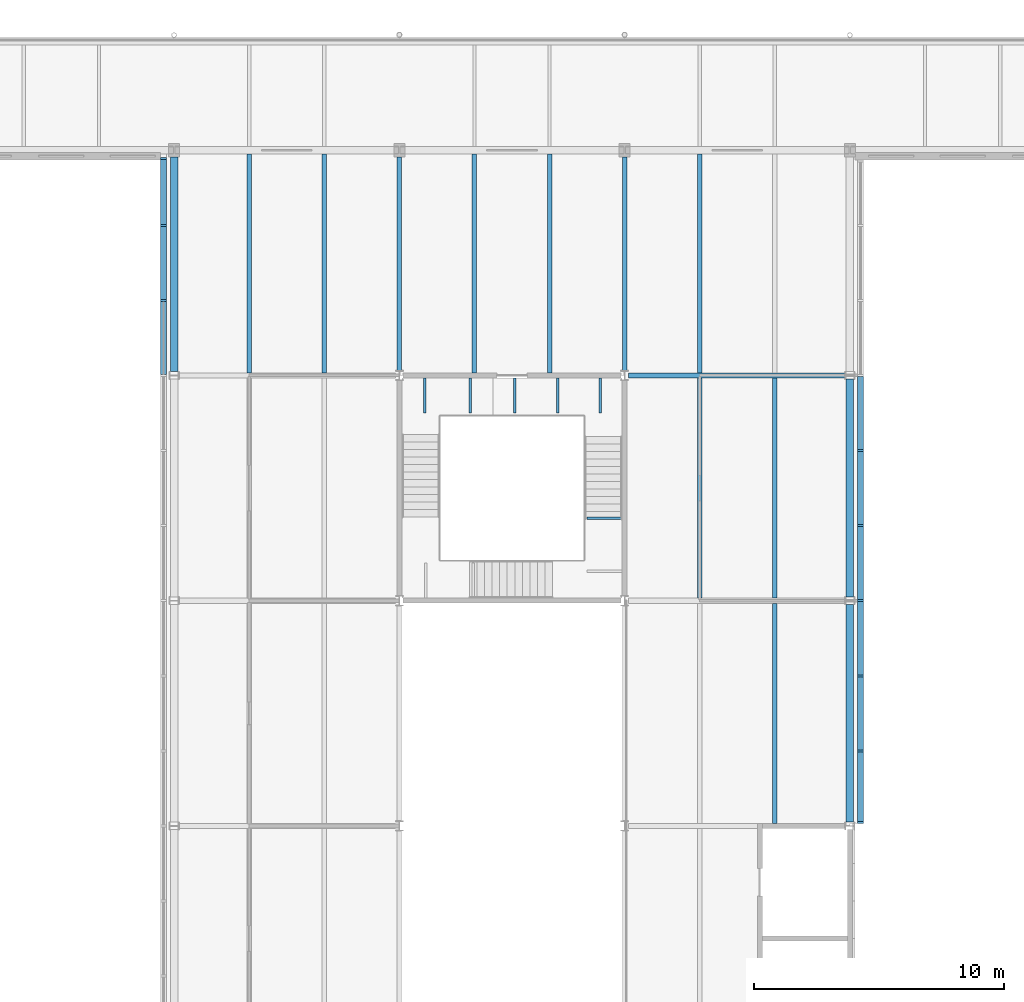
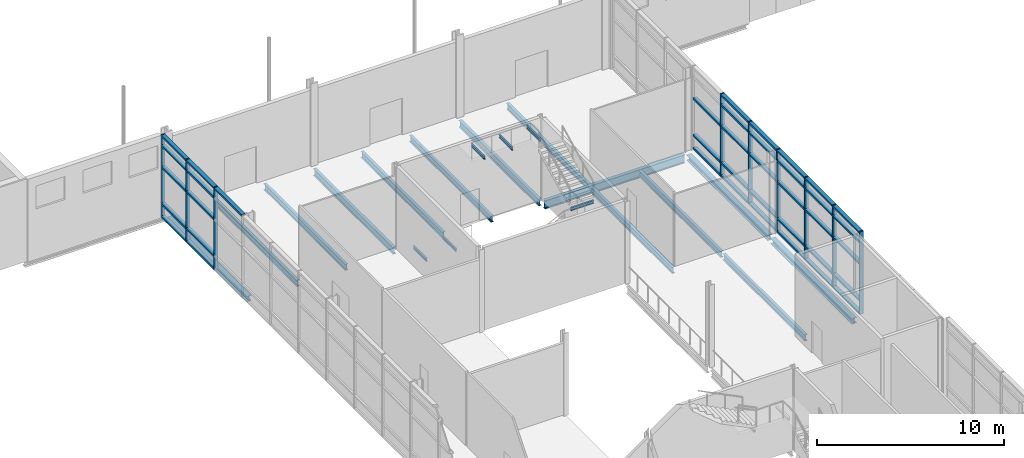
# One storey, part 18 of 56: 48 members, 20 beams, 2 elements without a shape of their own.
"""IFC4 building model written with IfcOpenShell, lengths in metres."""

from ifc_helpers import new_model, si_unit, direction, frame, origin, origin_2d, place, context, subcontext, project, spatial, rectangle, i_section, extrude, material, material_profile, profile_set, type_object, element, aggregate, save


model = new_model("IFC4")

# Units and contexts
model_context = context("Model", 3, precision=1e-05, world=origin(), true_north=direction((0.0, 1.0)))
body_context = subcontext(model_context, "Body", "Model", "MODEL_VIEW")
ifc_project = project(units=[si_unit("LENGTHUNIT", "METRE"), si_unit("AREAUNIT", "SQUARE_METRE"), si_unit("VOLUMEUNIT", "CUBIC_METRE"), si_unit("PLANEANGLEUNIT", "RADIAN"), si_unit("MASSUNIT", "GRAM", prefix="KILO")], contexts=[model_context])

# Site, building, storey
site_placement = place(None, origin())
site = spatial("IfcSite", under=ifc_project, at=site_placement, CompositionType="ELEMENT")
building_placement = place(site_placement, origin())
building = spatial("IfcBuilding", under=site, at=building_placement, Name="Azimuth Sports and Learning Centre", CompositionType="ELEMENT")
storey_placement = place(building_placement, frame((0.0, 0.0, 5.39990234375)))
storey = spatial("IfcBuildingStorey", under=building, at=storey_placement, Name="L01", CompositionType="ELEMENT", Elevation=5.39990234375)

# Beams
ifc_material_1 = material(Name="Steel S355", Category="steel")
ifc_material_profile_1 = material_profile(ifc_material_1, i_section(OverallWidth=0.10009765625, OverallDepth=0.199951171875, WebThickness=0.005615234375, FlangeThickness=0.008544921875, FilletRadius=0.011962890625, at=origin_2d()), Name="IPE 200")
ifc_profile_set_1 = profile_set([ifc_material_profile_1], Name="Steel S355")
beam_type_1 = type_object("IfcBeamType", Name="Beam IPE 200", PredefinedType="BEAM", material=ifc_profile_set_1)
for number, where, z_axis, x_axis, name in (
    (1, (82.02001953125, 80.89990234375, -0.2998046875), (0.0, -1.0, 0.0), (1.0, 0.0, 0.0), "Landing bracket STD L01 1168"),
    (2, (83.840087890625, 80.89990234375, -0.2998046875), (0.0, -1.0, 0.0), (1.0, 0.0, 0.0), "Landing bracket STD L01 1169"),
    (3, (89.89990234375, 75.297607421875, 3.300048828125), (-1.0, 0.0, 0.0), (0.0, -1.0, 0.0), "Landing bracket STD L01 1173"),
    (4, (85.606689453125, 80.89990234375, 5.10009765625), (0.0, -1.0, 0.0), (1.0, 0.0, 0.0), "Landing bracket STD L01 1174"),
    (5, (87.320068359375, 80.89990234375, 5.10009765625), (0.0, -1.0, 0.0), (1.0, 0.0, 0.0), "Landing bracket STD L01 1175"),
    (6, (89.033447265625, 80.89990234375, 5.10009765625), (0.0, -1.0, 0.0), (1.0, 0.0, 0.0), "Landing bracket STD L01 1176"),
):
    element("IfcBeam", number, at=place(storey_placement, frame(where, z_axis=z_axis, x_axis=x_axis)), inside=storey, type_object=beam_type_1, Name=name, PredefinedType="BEAM", context=body_context, shape_type="SweptSolid", body=[
        extrude(i_section(OverallWidth=0.10009765625, OverallDepth=0.199951171875, WebThickness=0.005615234375, FlangeThickness=0.008544921875, FilletRadius=0.011962890625, at=origin_2d()), origin(), (0.0, 0.0, 1.0), 1.409912109375),
    ])
ifc_material_2 = material(Name="Steel S355", Category="steel")
ifc_material_profile_2 = material_profile(ifc_material_2, i_section(OverallWidth=0.18994140625, OverallDepth=0.449951171875, WebThickness=0.009521484375, FlangeThickness=0.0146484375, FilletRadius=0.02099609375, at=origin_2d()), Name="IPE 450")
ifc_profile_set_2 = profile_set([ifc_material_profile_2], Name="Steel S355")
beam_type_2 = type_object("IfcBeamType", Name="Beam IPE 450", PredefinedType="BEAM", material=ifc_profile_set_2)
for number, where, z_axis, x_axis, name in (
    (7, (81.0, 81.199951171875, -0.375), (0.0, 1.0, 0.0), (-1.0, 0.0, 0.0), "Beam L01 ST 29"),
    (8, (90.0, 81.199951171875, -0.375), (0.0, 1.0, 0.0), (-1.0, 0.0, 0.0), "Beam L01 ST 35"),
):
    element("IfcBeam", number, at=place(storey_placement, frame(where, z_axis=z_axis, x_axis=x_axis)), inside=storey, type_object=beam_type_2, Name=name, PredefinedType="BEAM", context=body_context, shape_type="SweptSolid", body=[
        extrude(i_section(OverallWidth=0.18994140625, OverallDepth=0.449951171875, WebThickness=0.009521484375, FlangeThickness=0.0146484375, FilletRadius=0.02099609375, at=origin_2d()), origin(), (0.0, 0.0, 1.0), 8.53466796875),
    ])
ifc_material_3 = material(Name="Steel S355", Category="steel")
ifc_material_profile_3 = material_profile(ifc_material_3, i_section(OverallWidth=0.2099609375, OverallDepth=0.550048828125, WebThickness=0.010986328125, FlangeThickness=0.01708984375, FilletRadius=0.02392578125, at=origin_2d()), Name="IPE 550")
ifc_profile_set_3 = profile_set([ifc_material_profile_3], Name="Steel S355")
beam_type_3 = type_object("IfcBeamType", Name="Beam IPE 550", PredefinedType="BEAM", material=ifc_profile_set_3)
beam_1_placement = place(storey_placement, frame((90.14990234375, 81.0, -0.4248046875), z_axis=(1.0, 0.0, 0.0), x_axis=(0.0, 1.0, 0.0)))
element("IfcBeam", 9, at=beam_1_placement, inside=storey, type_object=beam_type_3, Name="Beam L01 ST 16", PredefinedType="BEAM", context=body_context, shape_type="SweptSolid", body=[
    extrude(i_section(OverallWidth=0.2099609375, OverallDepth=0.550048828125, WebThickness=0.010986328125, FlangeThickness=0.01708984375, FilletRadius=0.02392578125, at=origin_2d()), origin(), (0.0, 0.0, 1.0), 8.650146484375),
])
ifc_material_4 = material(Name="Steel S355", Category="steel")
ifc_material_profile_4 = material_profile(ifc_material_4, i_section(OverallWidth=0.300048828125, OverallDepth=0.35009765625, WebThickness=0.010009765625, FlangeThickness=0.017578125, FilletRadius=0.027099609375, at=origin_2d()), Name="HEA 360")
ifc_profile_set_4 = profile_set([ifc_material_profile_4], Name="Steel S355")
beam_type_4 = type_object("IfcBeamType", Name="Edge beam HEA 360", PredefinedType="SPANDREL", material=ifc_profile_set_4)
beam_2_placement = place(storey_placement, frame((72.0, 81.14990234375, -0.324951171875), z_axis=(0.0, 1.0, 0.0), x_axis=(-1.0, 0.0, 0.0)))
element("IfcBeam", 10, at=beam_2_placement, inside=storey, type_object=beam_type_4, Name="Edge beam L01 ST 23", PredefinedType="SPANDREL", context=body_context, shape_type="SweptSolid", body=[
    extrude(i_section(OverallWidth=0.300048828125, OverallDepth=0.35009765625, WebThickness=0.010009765625, FlangeThickness=0.017578125, FilletRadius=0.027099609375, at=origin_2d()), origin(), (0.0, 0.0, 1.0), 8.584716796875),
])
for number, where, z_axis, x_axis, name in (
    (11, (99.0, 63.14990234375, -0.324951171875), (0.0, 1.0, 0.0), (-1.0, 0.0, 0.0), "Edge beam L01 ST 36"),
    (12, (99.0, 72.14990234375, -0.324951171875), (0.0, 1.0, 0.0), (-1.0, 0.0, 0.0), "Edge beam L01 ST 37"),
):
    element("IfcBeam", number, at=place(storey_placement, frame(where, z_axis=z_axis, x_axis=x_axis)), inside=storey, type_object=beam_type_4, Name=name, PredefinedType="SPANDREL", context=body_context, shape_type="SweptSolid", body=[
        extrude(i_section(OverallWidth=0.300048828125, OverallDepth=0.35009765625, WebThickness=0.010009765625, FlangeThickness=0.017578125, FilletRadius=0.027099609375, at=origin_2d()), origin(), (0.0, 0.0, 1.0), 8.7001953125),
    ])
ifc_material_5 = material(Name="Steel S355", Category="steel")
ifc_material_profile_5 = material_profile(ifc_material_5, i_section(OverallWidth=0.179931640625, OverallDepth=0.39990234375, WebThickness=0.008544921875, FlangeThickness=0.013427734375, FilletRadius=0.02099609375, at=origin_2d()), Name="IPE 400")
ifc_profile_set_5 = profile_set([ifc_material_profile_5], Name="Steel S355")
beam_type_5 = type_object("IfcBeamType", Name="Joist IPE 400", PredefinedType="JOIST", material=ifc_profile_set_5)
for number, where, z_axis, x_axis, name in (
    (13, (75.0, 81.10498046875, -0.349853515625), (0.0, 1.0, 0.0), (-1.0, 0.0, 0.0), "Joist L01 ST 46"),
    (14, (78.0, 81.10498046875, -0.349853515625), (0.0, 1.0, 0.0), (-1.0, 0.0, 0.0), "Joist L01 ST 54"),
):
    element("IfcBeam", number, at=place(storey_placement, frame(where, z_axis=z_axis, x_axis=x_axis)), inside=storey, type_object=beam_type_5, Name=name, PredefinedType="JOIST", context=body_context, shape_type="SweptSolid", body=[
        extrude(i_section(OverallWidth=0.179931640625, OverallDepth=0.39990234375, WebThickness=0.008544921875, FlangeThickness=0.013427734375, FilletRadius=0.02099609375, at=origin_2d()), origin(), (0.0, 0.0, 1.0), 8.7451171875),
    ])
for number, where, z_axis, x_axis, name in (
    (15, (84.0, 81.10009765625, -0.349853515625), (0.0, 1.0, 0.0), (-1.0, 0.0, 0.0), "Joist L01 ST 60"),
    (16, (87.0, 81.10009765625, -0.349853515625), (0.0, 1.0, 0.0), (-1.0, 0.0, 0.0), "Joist L01 ST 66"),
):
    element("IfcBeam", number, at=place(storey_placement, frame(where, z_axis=z_axis, x_axis=x_axis)), inside=storey, type_object=beam_type_5, Name=name, PredefinedType="JOIST", context=body_context, shape_type="SweptSolid", body=[
        extrude(i_section(OverallWidth=0.179931640625, OverallDepth=0.39990234375, WebThickness=0.008544921875, FlangeThickness=0.013427734375, FilletRadius=0.02099609375, at=origin_2d()), origin(), (0.0, 0.0, 1.0), 8.75),
    ])
beam_3_placement = place(storey_placement, frame((93.0, 72.10498046875, -0.349853515625), z_axis=(0.0, 1.0, 0.0), x_axis=(-1.0, 0.0, 0.0)))
element("IfcBeam", 17, at=beam_3_placement, inside=storey, type_object=beam_type_5, Name="Joist L01 ST 73", PredefinedType="JOIST", context=body_context, shape_type="SweptSolid", body=[
    extrude(i_section(OverallWidth=0.179931640625, OverallDepth=0.39990234375, WebThickness=0.008544921875, FlangeThickness=0.013427734375, FilletRadius=0.02099609375, at=origin_2d()), origin(), (0.0, 0.0, 1.0), 8.7900390625),
])
beam_4_placement = place(storey_placement, frame((93.0, 81.10498046875, -0.349853515625), z_axis=(0.0, 1.0, 0.0), x_axis=(-1.0, 0.0, 0.0)))
element("IfcBeam", 18, at=beam_4_placement, inside=storey, type_object=beam_type_5, Name="Joist L01 ST 74", PredefinedType="JOIST", context=body_context, shape_type="SweptSolid", body=[
    extrude(i_section(OverallWidth=0.179931640625, OverallDepth=0.39990234375, WebThickness=0.008544921875, FlangeThickness=0.013427734375, FilletRadius=0.02099609375, at=origin_2d()), origin(), (0.0, 0.0, 1.0), 8.7451171875),
])
beam_5_placement = place(storey_placement, frame((96.0, 63.10009765625, -0.349853515625), z_axis=(0.0, 1.0, 0.0), x_axis=(-1.0, 0.0, 0.0)))
element("IfcBeam", 19, at=beam_5_placement, inside=storey, type_object=beam_type_5, Name="Joist L01 ST 79", PredefinedType="JOIST", context=body_context, shape_type="SweptSolid", body=[
    extrude(i_section(OverallWidth=0.179931640625, OverallDepth=0.39990234375, WebThickness=0.008544921875, FlangeThickness=0.013427734375, FilletRadius=0.02099609375, at=origin_2d()), origin(), (0.0, 0.0, 1.0), 8.794921875),
])
beam_6_placement = place(storey_placement, frame((96.0, 72.10498046875, -0.349853515625), z_axis=(0.0, 1.0, 0.0), x_axis=(-1.0, 0.0, 0.0)))
element("IfcBeam", 20, at=beam_6_placement, inside=storey, type_object=beam_type_5, Name="Joist L01 ST 80", PredefinedType="JOIST", context=body_context, shape_type="SweptSolid", body=[
    extrude(i_section(OverallWidth=0.179931640625, OverallDepth=0.39990234375, WebThickness=0.008544921875, FlangeThickness=0.013427734375, FilletRadius=0.02099609375, at=origin_2d()), origin(), (0.0, 0.0, 1.0), 8.7900390625),
])

# Curtain wall, members
ifc_material_6 = material(Name="Aluminium and glass", Category="aluminium")
curtain_wall_type = type_object("IfcCurtainWallType", Name="Curtain wall podium stem 240", PredefinedType="NOTDEFINED", material=ifc_material_6)
curtain_wall_1_placement = place(storey_placement, origin())
curtain_wall_1 = element("IfcCurtainWall", 21, at=curtain_wall_1_placement, inside=storey, type_object=curtain_wall_type, Name="Curtain wall CW01-003", PredefinedType="NOTDEFINED")
ifc_material_7 = material(Name="Aluminium", Category="aluminium")
ifc_material_profile_6 = material_profile(ifc_material_7, rectangle(XDim=0.239990234375, YDim=0.080078125, at=origin_2d()), Name="Mullion 80x240")
ifc_profile_set_6 = profile_set([ifc_material_profile_6], Name="Aluminium")
member_type_1 = type_object("IfcMemberType", Name="Mullion 80x240", PredefinedType="MULLION", material=ifc_profile_set_6)
member_1_placement = place(storey_placement, frame((71.580078125, 89.659912109375, 0.0), z_axis=(0.0, 0.0, 1.0), x_axis=(1.0, 0.0, 0.0)))
member_1 = element("IfcMember", 22, at=member_1_placement, type_object=member_type_1, Name="CW01-003 mullion 1", PredefinedType="MULLION", context=body_context, shape_type="SweptSolid", body=[
    extrude(rectangle(XDim=0.239990234375, YDim=0.080078125, at=origin_2d()), origin(), (0.0, 0.0, 1.0), 5.400146484375),
])
member_2_placement = place(storey_placement, frame((71.580078125, 87.0, 0.0), z_axis=(0.0, 0.0, 1.0), x_axis=(1.0, 0.0, 0.0)))
member_2 = element("IfcMember", 23, at=member_2_placement, type_object=member_type_1, Name="CW01-003 mullion 2", PredefinedType="MULLION", context=body_context, shape_type="SweptSolid", body=[
    extrude(rectangle(XDim=0.239990234375, YDim=0.080078125, at=origin_2d()), origin(), (0.0, 0.0, 1.0), 5.400146484375),
])
member_3_placement = place(storey_placement, frame((71.580078125, 84.0, 0.0), z_axis=(0.0, 0.0, 1.0), x_axis=(1.0, 0.0, 0.0)))
member_3 = element("IfcMember", 24, at=member_3_placement, type_object=member_type_1, Name="CW01-003 mullion 3", PredefinedType="MULLION", context=body_context, shape_type="SweptSolid", body=[
    extrude(rectangle(XDim=0.239990234375, YDim=0.080078125, at=origin_2d()), origin(), (0.0, 0.0, 1.0), 5.400146484375),
])

curtain_wall_2_placement = place(storey_placement, origin())
curtain_wall_2 = element("IfcCurtainWall", 25, at=curtain_wall_2_placement, inside=storey, type_object=curtain_wall_type, Name="Curtain wall CW01-008", PredefinedType="NOTDEFINED")
member_4_placement = place(storey_placement, frame((99.419921875, 63.139892578125, 0.0), z_axis=(0.0, 0.0, 1.0), x_axis=(-1.0, 0.0, 0.0)))
member_4 = element("IfcMember", 26, at=member_4_placement, type_object=member_type_1, Name="CW01-008 mullion 1", PredefinedType="MULLION", context=body_context, shape_type="SweptSolid", body=[
    extrude(rectangle(XDim=0.239990234375, YDim=0.080078125, at=origin_2d()), origin(), (0.0, 0.0, 1.0), 5.400146484375),
])
member_5_placement = place(storey_placement, frame((99.419921875, 66.0, 0.0), z_axis=(0.0, 0.0, 1.0), x_axis=(-1.0, 0.0, 0.0)))
member_5 = element("IfcMember", 27, at=member_5_placement, type_object=member_type_1, Name="CW01-008 mullion 2", PredefinedType="MULLION", context=body_context, shape_type="SweptSolid", body=[
    extrude(rectangle(XDim=0.239990234375, YDim=0.080078125, at=origin_2d()), origin(), (0.0, 0.0, 1.0), 5.400146484375),
])
member_6_placement = place(storey_placement, frame((99.419921875, 69.0, 0.0), z_axis=(0.0, 0.0, 1.0), x_axis=(-1.0, 0.0, 0.0)))
member_6 = element("IfcMember", 28, at=member_6_placement, type_object=member_type_1, Name="CW01-008 mullion 3", PredefinedType="MULLION", context=body_context, shape_type="SweptSolid", body=[
    extrude(rectangle(XDim=0.239990234375, YDim=0.080078125, at=origin_2d()), origin(), (0.0, 0.0, 1.0), 5.400146484375),
])
member_7_placement = place(storey_placement, frame((99.419921875, 72.0, 0.0), z_axis=(0.0, 0.0, 1.0), x_axis=(-1.0, 0.0, 0.0)))
member_7 = element("IfcMember", 29, at=member_7_placement, type_object=member_type_1, Name="CW01-008 mullion 4", PredefinedType="MULLION", context=body_context, shape_type="SweptSolid", body=[
    extrude(rectangle(XDim=0.239990234375, YDim=0.080078125, at=origin_2d()), origin(), (0.0, 0.0, 1.0), 5.400146484375),
])
member_8_placement = place(storey_placement, frame((99.419921875, 75.0, 0.0), z_axis=(0.0, 0.0, 1.0), x_axis=(-1.0, 0.0, 0.0)))
member_8 = element("IfcMember", 30, at=member_8_placement, type_object=member_type_1, Name="CW01-008 mullion 5", PredefinedType="MULLION", context=body_context, shape_type="SweptSolid", body=[
    extrude(rectangle(XDim=0.239990234375, YDim=0.080078125, at=origin_2d()), origin(), (0.0, 0.0, 1.0), 5.400146484375),
])
member_9_placement = place(storey_placement, frame((99.419921875, 78.0, 0.0), z_axis=(0.0, 0.0, 1.0), x_axis=(-1.0, 0.0, 0.0)))
member_9 = element("IfcMember", 31, at=member_9_placement, type_object=member_type_1, Name="CW01-008 mullion 6", PredefinedType="MULLION", context=body_context, shape_type="SweptSolid", body=[
    extrude(rectangle(XDim=0.239990234375, YDim=0.080078125, at=origin_2d()), origin(), (0.0, 0.0, 1.0), 5.400146484375),
])

# Member
ifc_material_8 = material(Name="Aluminium", Category="aluminium")
ifc_material_profile_7 = material_profile(ifc_material_8, rectangle(XDim=0.239990234375, YDim=0.1201171875, at=origin_2d()), Name="Transom 120x240")
ifc_profile_set_7 = profile_set([ifc_material_profile_7], Name="Aluminium")
member_type_2 = type_object("IfcMemberType", Name="Transom 120x240", PredefinedType="USERDEFINED", material=ifc_profile_set_7)
member_10_placement = place(storey_placement, frame((71.580078125, 89.6201171875, 0.06005859375), z_axis=(0.0, -1.0, 0.0), x_axis=(1.0, 0.0, 0.0)))
member_10 = element("IfcMember", 32, at=member_10_placement, type_object=member_type_2, Name="CW01-003 transom 1.1", ObjectType="TRANSOM", PredefinedType="USERDEFINED", context=body_context, shape_type="SweptSolid", body=[
    extrude(rectangle(XDim=0.239990234375, YDim=0.1201171875, at=origin_2d()), origin(), (0.0, 0.0, 1.0), 2.580078125),
])

member_11_placement = place(storey_placement, frame((71.580078125, 89.6201171875, 0.900146484375), z_axis=(0.0, -1.0, 0.0), x_axis=(1.0, 0.0, 0.0)))
member_11 = element("IfcMember", 33, at=member_11_placement, type_object=member_type_2, Name="CW01-003 transom 1.2", ObjectType="TRANSOM", PredefinedType="USERDEFINED", context=body_context, shape_type="SweptSolid", body=[
    extrude(rectangle(XDim=0.239990234375, YDim=0.1201171875, at=origin_2d()), origin(), (0.0, 0.0, 1.0), 2.580078125),
])

member_12_placement = place(storey_placement, frame((71.580078125, 89.6201171875, 3.300048828125), z_axis=(0.0, -1.0, 0.0), x_axis=(1.0, 0.0, 0.0)))
member_12 = element("IfcMember", 34, at=member_12_placement, type_object=member_type_2, Name="CW01-003 transom 1.3", ObjectType="TRANSOM", PredefinedType="USERDEFINED", context=body_context, shape_type="SweptSolid", body=[
    extrude(rectangle(XDim=0.239990234375, YDim=0.1201171875, at=origin_2d()), origin(), (0.0, 0.0, 1.0), 2.580078125),
])

member_13_placement = place(storey_placement, frame((71.580078125, 89.6201171875, 4.7001953125), z_axis=(0.0, -1.0, 0.0), x_axis=(1.0, 0.0, 0.0)))
member_13 = element("IfcMember", 35, at=member_13_placement, type_object=member_type_2, Name="CW01-003 transom 1.4", ObjectType="TRANSOM", PredefinedType="USERDEFINED", context=body_context, shape_type="SweptSolid", body=[
    extrude(rectangle(XDim=0.239990234375, YDim=0.1201171875, at=origin_2d()), origin(), (0.0, 0.0, 1.0), 2.580078125),
])

member_14_placement = place(storey_placement, frame((71.580078125, 89.6201171875, 5.340087890625), z_axis=(0.0, -1.0, 0.0), x_axis=(1.0, 0.0, 0.0)))
member_14 = element("IfcMember", 36, at=member_14_placement, type_object=member_type_2, Name="CW01-003 transom 1.5", ObjectType="TRANSOM", PredefinedType="USERDEFINED", context=body_context, shape_type="SweptSolid", body=[
    extrude(rectangle(XDim=0.239990234375, YDim=0.1201171875, at=origin_2d()), origin(), (0.0, 0.0, 1.0), 2.580078125),
])

member_15_placement = place(storey_placement, frame((71.580078125, 86.9599609375, 0.06005859375), z_axis=(0.0, -1.0, 0.0), x_axis=(1.0, 0.0, 0.0)))
member_15 = element("IfcMember", 37, at=member_15_placement, type_object=member_type_2, Name="CW01-003 transom 2.1", ObjectType="TRANSOM", PredefinedType="USERDEFINED", context=body_context, shape_type="SweptSolid", body=[
    extrude(rectangle(XDim=0.239990234375, YDim=0.1201171875, at=origin_2d()), origin(), (0.0, 0.0, 1.0), 2.919921875),
])

member_16_placement = place(storey_placement, frame((71.580078125, 86.9599609375, 0.900146484375), z_axis=(0.0, -1.0, 0.0), x_axis=(1.0, 0.0, 0.0)))
member_16 = element("IfcMember", 38, at=member_16_placement, type_object=member_type_2, Name="CW01-003 transom 2.2", ObjectType="TRANSOM", PredefinedType="USERDEFINED", context=body_context, shape_type="SweptSolid", body=[
    extrude(rectangle(XDim=0.239990234375, YDim=0.1201171875, at=origin_2d()), origin(), (0.0, 0.0, 1.0), 2.919921875),
])

member_17_placement = place(storey_placement, frame((71.580078125, 86.9599609375, 3.300048828125), z_axis=(0.0, -1.0, 0.0), x_axis=(1.0, 0.0, 0.0)))
member_17 = element("IfcMember", 39, at=member_17_placement, type_object=member_type_2, Name="CW01-003 transom 2.3", ObjectType="TRANSOM", PredefinedType="USERDEFINED", context=body_context, shape_type="SweptSolid", body=[
    extrude(rectangle(XDim=0.239990234375, YDim=0.1201171875, at=origin_2d()), origin(), (0.0, 0.0, 1.0), 2.919921875),
])

member_18_placement = place(storey_placement, frame((71.580078125, 86.9599609375, 4.7001953125), z_axis=(0.0, -1.0, 0.0), x_axis=(1.0, 0.0, 0.0)))
member_18 = element("IfcMember", 40, at=member_18_placement, type_object=member_type_2, Name="CW01-003 transom 2.4", ObjectType="TRANSOM", PredefinedType="USERDEFINED", context=body_context, shape_type="SweptSolid", body=[
    extrude(rectangle(XDim=0.239990234375, YDim=0.1201171875, at=origin_2d()), origin(), (0.0, 0.0, 1.0), 2.919921875),
])

member_19_placement = place(storey_placement, frame((71.580078125, 86.9599609375, 5.340087890625), z_axis=(0.0, -1.0, 0.0), x_axis=(1.0, 0.0, 0.0)))
member_19 = element("IfcMember", 41, at=member_19_placement, type_object=member_type_2, Name="CW01-003 transom 2.5", ObjectType="TRANSOM", PredefinedType="USERDEFINED", context=body_context, shape_type="SweptSolid", body=[
    extrude(rectangle(XDim=0.239990234375, YDim=0.1201171875, at=origin_2d()), origin(), (0.0, 0.0, 1.0), 2.919921875),
])

member_20_placement = place(storey_placement, frame((71.580078125, 83.9599609375, 5.340087890625), z_axis=(0.0, -1.0, 0.0), x_axis=(1.0, 0.0, 0.0)))
member_20 = element("IfcMember", 42, at=member_20_placement, type_object=member_type_2, Name="CW01-003 transom 3.5", ObjectType="TRANSOM", PredefinedType="USERDEFINED", context=body_context, shape_type="SweptSolid", body=[
    extrude(rectangle(XDim=0.239990234375, YDim=0.1201171875, at=origin_2d()), origin(), (0.0, 0.0, 1.0), 2.919921875),
])

aggregate(curtain_wall_1, [member_1, member_2, member_3, member_10, member_11, member_12, member_13, member_14, member_15, member_16, member_17, member_18, member_19, member_20])

member_21_placement = place(storey_placement, frame((99.419921875, 63.179931640625, 0.06005859375), z_axis=(0.0, 1.0, 0.0), x_axis=(-1.0, 0.0, 0.0)))
member_21 = element("IfcMember", 43, at=member_21_placement, type_object=member_type_2, Name="CW01-008 transom 1.1", ObjectType="TRANSOM", PredefinedType="USERDEFINED", context=body_context, shape_type="SweptSolid", body=[
    extrude(rectangle(XDim=0.239990234375, YDim=0.1201171875, at=origin_2d()), origin(), (0.0, 0.0, 1.0), 2.780029296875),
])

member_22_placement = place(storey_placement, frame((99.419921875, 63.179931640625, 0.900146484375), z_axis=(0.0, 1.0, 0.0), x_axis=(-1.0, 0.0, 0.0)))
member_22 = element("IfcMember", 44, at=member_22_placement, type_object=member_type_2, Name="CW01-008 transom 1.2", ObjectType="TRANSOM", PredefinedType="USERDEFINED", context=body_context, shape_type="SweptSolid", body=[
    extrude(rectangle(XDim=0.239990234375, YDim=0.1201171875, at=origin_2d()), origin(), (0.0, 0.0, 1.0), 2.780029296875),
])

member_23_placement = place(storey_placement, frame((99.419921875, 63.179931640625, 3.300048828125), z_axis=(0.0, 1.0, 0.0), x_axis=(-1.0, 0.0, 0.0)))
member_23 = element("IfcMember", 45, at=member_23_placement, type_object=member_type_2, Name="CW01-008 transom 1.3", ObjectType="TRANSOM", PredefinedType="USERDEFINED", context=body_context, shape_type="SweptSolid", body=[
    extrude(rectangle(XDim=0.239990234375, YDim=0.1201171875, at=origin_2d()), origin(), (0.0, 0.0, 1.0), 2.780029296875),
])

member_24_placement = place(storey_placement, frame((99.419921875, 63.179931640625, 4.7001953125), z_axis=(0.0, 1.0, 0.0), x_axis=(-1.0, 0.0, 0.0)))
member_24 = element("IfcMember", 46, at=member_24_placement, type_object=member_type_2, Name="CW01-008 transom 1.4", ObjectType="TRANSOM", PredefinedType="USERDEFINED", context=body_context, shape_type="SweptSolid", body=[
    extrude(rectangle(XDim=0.239990234375, YDim=0.1201171875, at=origin_2d()), origin(), (0.0, 0.0, 1.0), 2.780029296875),
])

member_25_placement = place(storey_placement, frame((99.419921875, 63.179931640625, 5.340087890625), z_axis=(0.0, 1.0, 0.0), x_axis=(-1.0, 0.0, 0.0)))
member_25 = element("IfcMember", 47, at=member_25_placement, type_object=member_type_2, Name="CW01-008 transom 1.5", ObjectType="TRANSOM", PredefinedType="USERDEFINED", context=body_context, shape_type="SweptSolid", body=[
    extrude(rectangle(XDim=0.239990234375, YDim=0.1201171875, at=origin_2d()), origin(), (0.0, 0.0, 1.0), 2.780029296875),
])

member_26_placement = place(storey_placement, frame((99.419921875, 66.0400390625, 0.06005859375), z_axis=(0.0, 1.0, 0.0), x_axis=(-1.0, 0.0, 0.0)))
member_26 = element("IfcMember", 48, at=member_26_placement, type_object=member_type_2, Name="CW01-008 transom 2.1", ObjectType="TRANSOM", PredefinedType="USERDEFINED", context=body_context, shape_type="SweptSolid", body=[
    extrude(rectangle(XDim=0.239990234375, YDim=0.1201171875, at=origin_2d()), origin(), (0.0, 0.0, 1.0), 2.919921875),
])

member_27_placement = place(storey_placement, frame((99.419921875, 66.0400390625, 0.900146484375), z_axis=(0.0, 1.0, 0.0), x_axis=(-1.0, 0.0, 0.0)))
member_27 = element("IfcMember", 49, at=member_27_placement, type_object=member_type_2, Name="CW01-008 transom 2.2", ObjectType="TRANSOM", PredefinedType="USERDEFINED", context=body_context, shape_type="SweptSolid", body=[
    extrude(rectangle(XDim=0.239990234375, YDim=0.1201171875, at=origin_2d()), origin(), (0.0, 0.0, 1.0), 2.919921875),
])

member_28_placement = place(storey_placement, frame((99.419921875, 66.0400390625, 3.300048828125), z_axis=(0.0, 1.0, 0.0), x_axis=(-1.0, 0.0, 0.0)))
member_28 = element("IfcMember", 50, at=member_28_placement, type_object=member_type_2, Name="CW01-008 transom 2.3", ObjectType="TRANSOM", PredefinedType="USERDEFINED", context=body_context, shape_type="SweptSolid", body=[
    extrude(rectangle(XDim=0.239990234375, YDim=0.1201171875, at=origin_2d()), origin(), (0.0, 0.0, 1.0), 2.919921875),
])

member_29_placement = place(storey_placement, frame((99.419921875, 66.0400390625, 4.7001953125), z_axis=(0.0, 1.0, 0.0), x_axis=(-1.0, 0.0, 0.0)))
member_29 = element("IfcMember", 51, at=member_29_placement, type_object=member_type_2, Name="CW01-008 transom 2.4", ObjectType="TRANSOM", PredefinedType="USERDEFINED", context=body_context, shape_type="SweptSolid", body=[
    extrude(rectangle(XDim=0.239990234375, YDim=0.1201171875, at=origin_2d()), origin(), (0.0, 0.0, 1.0), 2.919921875),
])

member_30_placement = place(storey_placement, frame((99.419921875, 66.0400390625, 5.340087890625), z_axis=(0.0, 1.0, 0.0), x_axis=(-1.0, 0.0, 0.0)))
member_30 = element("IfcMember", 52, at=member_30_placement, type_object=member_type_2, Name="CW01-008 transom 2.5", ObjectType="TRANSOM", PredefinedType="USERDEFINED", context=body_context, shape_type="SweptSolid", body=[
    extrude(rectangle(XDim=0.239990234375, YDim=0.1201171875, at=origin_2d()), origin(), (0.0, 0.0, 1.0), 2.919921875),
])

member_31_placement = place(storey_placement, frame((99.419921875, 69.0400390625, 0.06005859375), z_axis=(0.0, 1.0, 0.0), x_axis=(-1.0, 0.0, 0.0)))
member_31 = element("IfcMember", 53, at=member_31_placement, type_object=member_type_2, Name="CW01-008 transom 3.1", ObjectType="TRANSOM", PredefinedType="USERDEFINED", context=body_context, shape_type="SweptSolid", body=[
    extrude(rectangle(XDim=0.239990234375, YDim=0.1201171875, at=origin_2d()), origin(), (0.0, 0.0, 1.0), 2.919921875),
])

member_32_placement = place(storey_placement, frame((99.419921875, 69.0400390625, 0.900146484375), z_axis=(0.0, 1.0, 0.0), x_axis=(-1.0, 0.0, 0.0)))
member_32 = element("IfcMember", 54, at=member_32_placement, type_object=member_type_2, Name="CW01-008 transom 3.2", ObjectType="TRANSOM", PredefinedType="USERDEFINED", context=body_context, shape_type="SweptSolid", body=[
    extrude(rectangle(XDim=0.239990234375, YDim=0.1201171875, at=origin_2d()), origin(), (0.0, 0.0, 1.0), 2.919921875),
])

member_33_placement = place(storey_placement, frame((99.419921875, 69.0400390625, 3.300048828125), z_axis=(0.0, 1.0, 0.0), x_axis=(-1.0, 0.0, 0.0)))
member_33 = element("IfcMember", 55, at=member_33_placement, type_object=member_type_2, Name="CW01-008 transom 3.3", ObjectType="TRANSOM", PredefinedType="USERDEFINED", context=body_context, shape_type="SweptSolid", body=[
    extrude(rectangle(XDim=0.239990234375, YDim=0.1201171875, at=origin_2d()), origin(), (0.0, 0.0, 1.0), 2.919921875),
])

member_34_placement = place(storey_placement, frame((99.419921875, 69.0400390625, 4.7001953125), z_axis=(0.0, 1.0, 0.0), x_axis=(-1.0, 0.0, 0.0)))
member_34 = element("IfcMember", 56, at=member_34_placement, type_object=member_type_2, Name="CW01-008 transom 3.4", ObjectType="TRANSOM", PredefinedType="USERDEFINED", context=body_context, shape_type="SweptSolid", body=[
    extrude(rectangle(XDim=0.239990234375, YDim=0.1201171875, at=origin_2d()), origin(), (0.0, 0.0, 1.0), 2.919921875),
])

member_35_placement = place(storey_placement, frame((99.419921875, 69.0400390625, 5.340087890625), z_axis=(0.0, 1.0, 0.0), x_axis=(-1.0, 0.0, 0.0)))
member_35 = element("IfcMember", 57, at=member_35_placement, type_object=member_type_2, Name="CW01-008 transom 3.5", ObjectType="TRANSOM", PredefinedType="USERDEFINED", context=body_context, shape_type="SweptSolid", body=[
    extrude(rectangle(XDim=0.239990234375, YDim=0.1201171875, at=origin_2d()), origin(), (0.0, 0.0, 1.0), 2.919921875),
])

member_36_placement = place(storey_placement, frame((99.419921875, 72.0400390625, 0.06005859375), z_axis=(0.0, 1.0, 0.0), x_axis=(-1.0, 0.0, 0.0)))
member_36 = element("IfcMember", 58, at=member_36_placement, type_object=member_type_2, Name="CW01-008 transom 4.1", ObjectType="TRANSOM", PredefinedType="USERDEFINED", context=body_context, shape_type="SweptSolid", body=[
    extrude(rectangle(XDim=0.239990234375, YDim=0.1201171875, at=origin_2d()), origin(), (0.0, 0.0, 1.0), 2.919921875),
])

member_37_placement = place(storey_placement, frame((99.419921875, 72.0400390625, 0.900146484375), z_axis=(0.0, 1.0, 0.0), x_axis=(-1.0, 0.0, 0.0)))
member_37 = element("IfcMember", 59, at=member_37_placement, type_object=member_type_2, Name="CW01-008 transom 4.2", ObjectType="TRANSOM", PredefinedType="USERDEFINED", context=body_context, shape_type="SweptSolid", body=[
    extrude(rectangle(XDim=0.239990234375, YDim=0.1201171875, at=origin_2d()), origin(), (0.0, 0.0, 1.0), 2.919921875),
])

member_38_placement = place(storey_placement, frame((99.419921875, 72.0400390625, 3.300048828125), z_axis=(0.0, 1.0, 0.0), x_axis=(-1.0, 0.0, 0.0)))
member_38 = element("IfcMember", 60, at=member_38_placement, type_object=member_type_2, Name="CW01-008 transom 4.3", ObjectType="TRANSOM", PredefinedType="USERDEFINED", context=body_context, shape_type="SweptSolid", body=[
    extrude(rectangle(XDim=0.239990234375, YDim=0.1201171875, at=origin_2d()), origin(), (0.0, 0.0, 1.0), 2.919921875),
])

member_39_placement = place(storey_placement, frame((99.419921875, 72.0400390625, 4.7001953125), z_axis=(0.0, 1.0, 0.0), x_axis=(-1.0, 0.0, 0.0)))
member_39 = element("IfcMember", 61, at=member_39_placement, type_object=member_type_2, Name="CW01-008 transom 4.4", ObjectType="TRANSOM", PredefinedType="USERDEFINED", context=body_context, shape_type="SweptSolid", body=[
    extrude(rectangle(XDim=0.239990234375, YDim=0.1201171875, at=origin_2d()), origin(), (0.0, 0.0, 1.0), 2.919921875),
])

member_40_placement = place(storey_placement, frame((99.419921875, 72.0400390625, 5.340087890625), z_axis=(0.0, 1.0, 0.0), x_axis=(-1.0, 0.0, 0.0)))
member_40 = element("IfcMember", 62, at=member_40_placement, type_object=member_type_2, Name="CW01-008 transom 4.5", ObjectType="TRANSOM", PredefinedType="USERDEFINED", context=body_context, shape_type="SweptSolid", body=[
    extrude(rectangle(XDim=0.239990234375, YDim=0.1201171875, at=origin_2d()), origin(), (0.0, 0.0, 1.0), 2.919921875),
])

member_41_placement = place(storey_placement, frame((99.419921875, 75.0400390625, 0.06005859375), z_axis=(0.0, 1.0, 0.0), x_axis=(-1.0, 0.0, 0.0)))
member_41 = element("IfcMember", 63, at=member_41_placement, type_object=member_type_2, Name="CW01-008 transom 5.1", ObjectType="TRANSOM", PredefinedType="USERDEFINED", context=body_context, shape_type="SweptSolid", body=[
    extrude(rectangle(XDim=0.239990234375, YDim=0.1201171875, at=origin_2d()), origin(), (0.0, 0.0, 1.0), 2.919921875),
])

member_42_placement = place(storey_placement, frame((99.419921875, 75.0400390625, 0.900146484375), z_axis=(0.0, 1.0, 0.0), x_axis=(-1.0, 0.0, 0.0)))
member_42 = element("IfcMember", 64, at=member_42_placement, type_object=member_type_2, Name="CW01-008 transom 5.2", ObjectType="TRANSOM", PredefinedType="USERDEFINED", context=body_context, shape_type="SweptSolid", body=[
    extrude(rectangle(XDim=0.239990234375, YDim=0.1201171875, at=origin_2d()), origin(), (0.0, 0.0, 1.0), 2.919921875),
])

member_43_placement = place(storey_placement, frame((99.419921875, 75.0400390625, 3.300048828125), z_axis=(0.0, 1.0, 0.0), x_axis=(-1.0, 0.0, 0.0)))
member_43 = element("IfcMember", 65, at=member_43_placement, type_object=member_type_2, Name="CW01-008 transom 5.3", ObjectType="TRANSOM", PredefinedType="USERDEFINED", context=body_context, shape_type="SweptSolid", body=[
    extrude(rectangle(XDim=0.239990234375, YDim=0.1201171875, at=origin_2d()), origin(), (0.0, 0.0, 1.0), 2.919921875),
])

member_44_placement = place(storey_placement, frame((99.419921875, 75.0400390625, 4.7001953125), z_axis=(0.0, 1.0, 0.0), x_axis=(-1.0, 0.0, 0.0)))
member_44 = element("IfcMember", 66, at=member_44_placement, type_object=member_type_2, Name="CW01-008 transom 5.4", ObjectType="TRANSOM", PredefinedType="USERDEFINED", context=body_context, shape_type="SweptSolid", body=[
    extrude(rectangle(XDim=0.239990234375, YDim=0.1201171875, at=origin_2d()), origin(), (0.0, 0.0, 1.0), 2.919921875),
])

member_45_placement = place(storey_placement, frame((99.419921875, 75.0400390625, 5.340087890625), z_axis=(0.0, 1.0, 0.0), x_axis=(-1.0, 0.0, 0.0)))
member_45 = element("IfcMember", 67, at=member_45_placement, type_object=member_type_2, Name="CW01-008 transom 5.5", ObjectType="TRANSOM", PredefinedType="USERDEFINED", context=body_context, shape_type="SweptSolid", body=[
    extrude(rectangle(XDim=0.239990234375, YDim=0.1201171875, at=origin_2d()), origin(), (0.0, 0.0, 1.0), 2.919921875),
])

member_46_placement = place(storey_placement, frame((99.419921875, 78.0400390625, 0.06005859375), z_axis=(0.0, 1.0, 0.0), x_axis=(-1.0, 0.0, 0.0)))
member_46 = element("IfcMember", 68, at=member_46_placement, type_object=member_type_2, Name="CW01-008 transom 6.1", ObjectType="TRANSOM", PredefinedType="USERDEFINED", context=body_context, shape_type="SweptSolid", body=[
    extrude(rectangle(XDim=0.239990234375, YDim=0.1201171875, at=origin_2d()), origin(), (0.0, 0.0, 1.0), 2.919921875),
])

member_47_placement = place(storey_placement, frame((99.419921875, 78.0400390625, 0.900146484375), z_axis=(0.0, 1.0, 0.0), x_axis=(-1.0, 0.0, 0.0)))
member_47 = element("IfcMember", 69, at=member_47_placement, type_object=member_type_2, Name="CW01-008 transom 6.2", ObjectType="TRANSOM", PredefinedType="USERDEFINED", context=body_context, shape_type="SweptSolid", body=[
    extrude(rectangle(XDim=0.239990234375, YDim=0.1201171875, at=origin_2d()), origin(), (0.0, 0.0, 1.0), 2.919921875),
])

member_48_placement = place(storey_placement, frame((99.419921875, 78.0400390625, 3.300048828125), z_axis=(0.0, 1.0, 0.0), x_axis=(-1.0, 0.0, 0.0)))
member_48 = element("IfcMember", 70, at=member_48_placement, type_object=member_type_2, Name="CW01-008 transom 6.3", ObjectType="TRANSOM", PredefinedType="USERDEFINED", context=body_context, shape_type="SweptSolid", body=[
    extrude(rectangle(XDim=0.239990234375, YDim=0.1201171875, at=origin_2d()), origin(), (0.0, 0.0, 1.0), 2.919921875),
])

aggregate(curtain_wall_2, [member_4, member_5, member_6, member_7, member_8, member_9, member_21, member_22, member_23, member_24, member_25, member_26, member_27, member_28, member_29, member_30, member_31, member_32, member_33, member_34, member_35, member_36, member_37, member_38, member_39, member_40, member_41, member_42, member_43, member_44, member_45, member_46, member_47, member_48])

save(model, "model.ifc")
